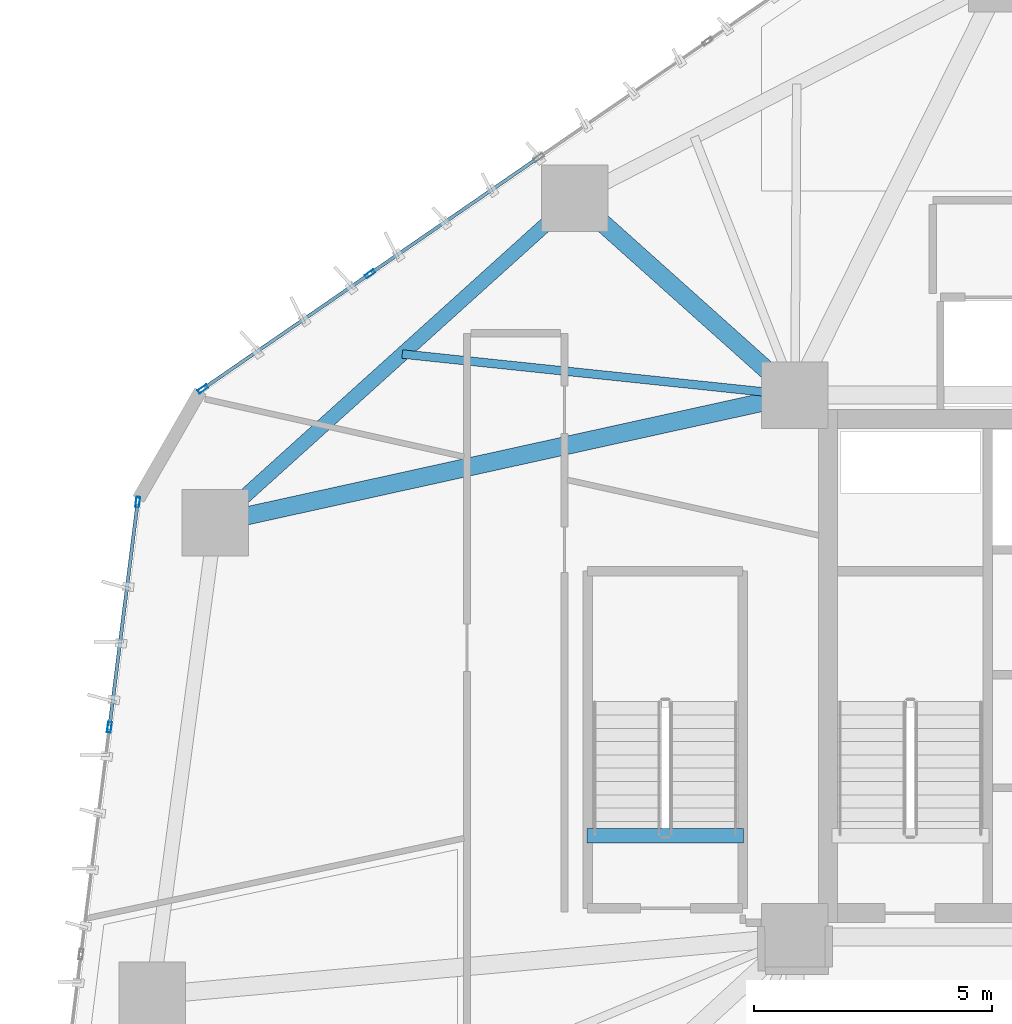
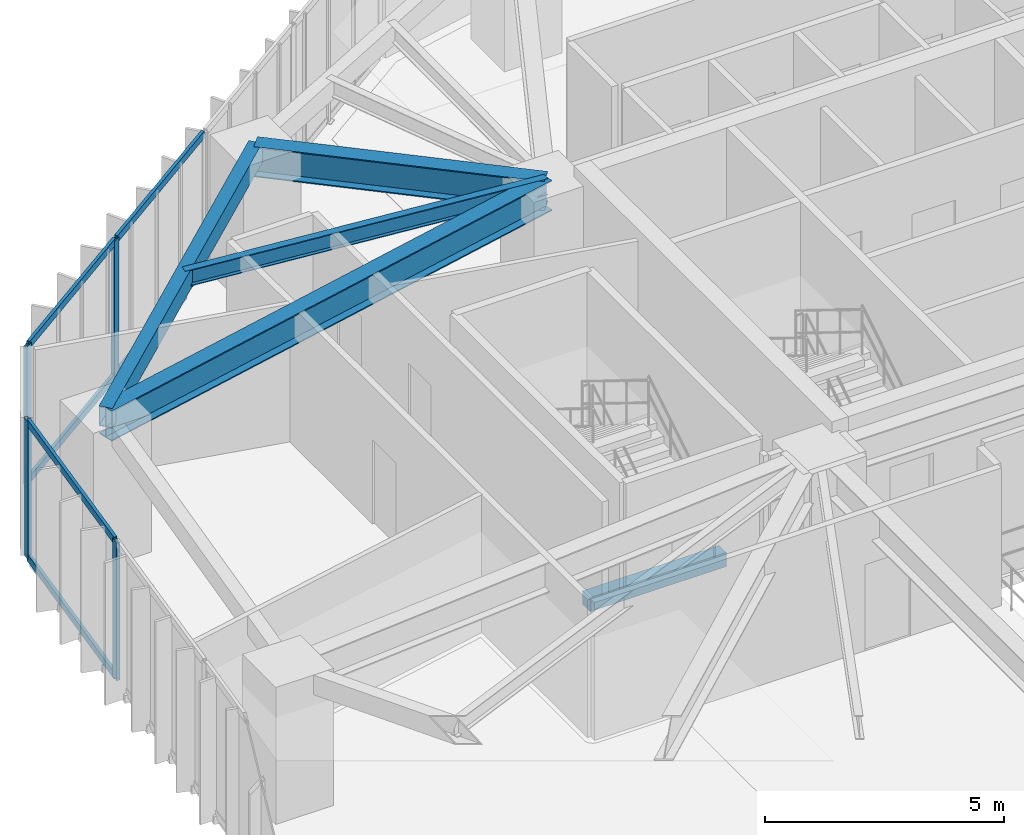
# One storey, part 6 of 21: 10 members, 5 beams, 2 elements without a shape of their own.
"""IFC4 building model written with IfcOpenShell, lengths in metres."""

from ifc_helpers import new_model, si_unit, direction, frame, origin, origin_2d, place, context, subcontext, project, spatial, rectangle, hollow_rectangle, i_section, extrude, source, transform, mapped, material, layer, layer_set, material_profile, profile_set, type_object, type_shapes, element, aggregate, save


model = new_model("IFC4")

# Units and contexts
model_context = context("Model", 3, precision=1e-05, world=origin(), true_north=direction((0.0, 1.0)))
body_context = subcontext(model_context, "Body", "Model", "MODEL_VIEW")
ifc_project = project(units=[si_unit("LENGTHUNIT", "METRE"), si_unit("AREAUNIT", "SQUARE_METRE"), si_unit("VOLUMEUNIT", "CUBIC_METRE"), si_unit("PLANEANGLEUNIT", "RADIAN"), si_unit("MASSUNIT", "GRAM", prefix="KILO")], contexts=[model_context])

# Site, building, storey
site_placement = place(None, origin())
site = spatial("IfcSite", under=ifc_project, at=site_placement, CompositionType="ELEMENT")
building_placement = place(site_placement, origin())
building = spatial("IfcBuilding", under=site, at=building_placement, Name="Talar Marvaseh", CompositionType="ELEMENT")
storey_placement = place(building_placement, frame((0.0, 0.0, 62.0)))
storey = spatial("IfcBuildingStorey", under=building, at=storey_placement, Name="L15", CompositionType="ELEMENT", Elevation=62.0)

# Beams
ifc_material_1 = material(Name="Concrete C40/50", Category="concrete")
ifc_material_profile_1 = material_profile(ifc_material_1, rectangle(XDim=0.300048828125, YDim=0.360107421875, at=origin_2d()), Name="RC300x360")
ifc_profile_set_1 = profile_set([ifc_material_profile_1], Name="Concrete C40/50")
beam_type_1 = type_object("IfcBeamType", Name="Concrete Stair Landing Trimmer Beam RC300x360", PredefinedType="SPANDREL", material=ifc_profile_set_1)
beam_1_placement = place(storey_placement, frame((17.6201171875, 27.6298828125, -0.179931640625), z_axis=(-1.0, 0.0, 0.0), x_axis=(0.0, -1.0, 0.0)))
element("IfcBeam", 1, at=beam_1_placement, inside=storey, type_object=beam_type_1, Name="L15 ST-3 Stair Nosing Trimmer Beam", PredefinedType="SPANDREL", context=body_context, shape_type="SweptSolid", body=[
    extrude(rectangle(XDim=0.300048828125, YDim=0.360107421875, at=origin_2d()), origin(), (0.0, 0.0, 1.0), 3.300048828125),
])
ifc_material_2 = material(Name="Steel S355", Category="steel")
ifc_material_profile_2 = material_profile(ifc_material_2, hollow_rectangle(XDim=0.300048828125, YDim=0.5, WallThickness=0.02001953125, at=origin_2d()), Name="RHS500x300x20")
ifc_profile_set_2 = profile_set([ifc_material_profile_2], Name="Steel S355")
beam_type_2 = type_object("IfcBeamType", Name="Zone 1 Perimeter Spandrel Beam RHS500x300x20", PredefinedType="SPANDREL", material=ifc_profile_set_2)
beam_2_placement = place(storey_placement, frame((6.501953125, 34.214111328125, 3.27001953125), z_axis=(0.742394279812, 0.669963232799, 0.0), x_axis=(-0.669963232799, 0.742394279812, 0.0)))
element("IfcBeam", 2, at=beam_2_placement, inside=storey, type_object=beam_type_2, Name="L15 Zone 1 Perimeter Spandrel Beam RHS500x300x20", PredefinedType="SPANDREL", context=body_context, shape_type="SweptSolid", body=[
    extrude(hollow_rectangle(XDim=0.300048828125, YDim=0.5, WallThickness=0.02001953125, at=origin_2d()), origin(), (0.0, 0.0, 1.0), 10.19287109375),
])
ifc_material_profile_3 = material_profile(ifc_material_2, i_section(OverallWidth=0.381103515625, OverallDepth=0.77294921875, WebThickness=0.0166015625, FlangeThickness=0.027099609375, at=origin_2d()), Name="W760x257")
ifc_profile_set_3 = profile_set([ifc_material_profile_3], Name="Steel S355")
beam_type_3 = type_object("IfcBeamType", Name="Zone 1 Radial Floor Girder W760x257", PredefinedType="BEAM", material=ifc_profile_set_3)
beam_3_placement = place(storey_placement, frame((6.501953125, 34.214111328125, 3.133544921875), z_axis=(0.976606962034, 0.215032187606, 0.0), x_axis=(-0.215032187606, 0.976606962034, 0.0)))
element("IfcBeam", 3, at=beam_3_placement, inside=storey, type_object=beam_type_3, Name="L15 Zone 1 Radial Floor Girder W760x257", PredefinedType="BEAM", context=body_context, shape_type="SweptSolid", body=[
    extrude(i_section(OverallWidth=0.381103515625, OverallDepth=0.77294921875, WebThickness=0.0166015625, FlangeThickness=0.027099609375, at=origin_2d()), origin(), (0.0, 0.0, 1.0), 12.490234375),
])
beam_4_placement = place(storey_placement, frame((14.069091796875, 41.04296875, 3.133544921875), z_axis=(0.745268030676, -0.666764997921, 0.0), x_axis=(0.666764997921, 0.745268030676, 0.0)))
element("IfcBeam", 4, at=beam_4_placement, inside=storey, type_object=beam_type_3, Name="L15 Zone 1 Radial Floor Girder W760x257", PredefinedType="BEAM", context=body_context, shape_type="SweptSolid", body=[
    extrude(i_section(OverallWidth=0.381103515625, OverallDepth=0.77294921875, WebThickness=0.0166015625, FlangeThickness=0.027099609375, at=origin_2d()), origin(), (0.0, 0.0, 1.0), 6.213623046875),
])
ifc_material_profile_4 = material_profile(ifc_material_2, i_section(OverallWidth=0.179931640625, OverallDepth=0.4130859375, WebThickness=0.009765625, FlangeThickness=0.01611328125, at=origin_2d()), Name="W410x75")
ifc_profile_set_4 = profile_set([ifc_material_profile_4], Name="Steel S355")
beam_type_4 = type_object("IfcBeamType", Name="Zone 1 Secondary Floor Joist W410x75", PredefinedType="JOIST", material=ifc_profile_set_4)
beam_5_placement = place(storey_placement, frame((10.436767578125, 37.76513671875, 3.3134765625), z_axis=(0.994562624593, -0.104140221638, 0.0), x_axis=(0.104140221638, 0.994562624593, 0.0)))
element("IfcBeam", 5, at=beam_5_placement, inside=storey, type_object=beam_type_4, Name="L15 Zone 1 Secondary Floor Joist W410x75", PredefinedType="JOIST", context=body_context, shape_type="SweptSolid", body=[
    extrude(i_section(OverallWidth=0.179931640625, OverallDepth=0.4130859375, WebThickness=0.009765625, FlangeThickness=0.01611328125, at=origin_2d()), origin(), (0.0, 0.0, 1.0), 8.308349609375),
])

# Curtain wall, members
ifc_material_3 = material(Name="Architectural Aluminium", Category="aluminium")
ifc_layer = layer(ifc_material_3, 0.219970703125)
ifc_layer_set = layer_set([ifc_layer], Name="Architectural Aluminium")
curtain_wall_type = type_object("IfcCurtainWallType", Name="Unitised Low-E Museum Curtain Wall Z1", PredefinedType="NOTDEFINED", material=ifc_layer_set)
curtain_wall_1_placement = place(storey_placement, origin())
curtain_wall_1 = element("IfcCurtainWall", 6, at=curtain_wall_1_placement, inside=storey, type_object=curtain_wall_type, Name="L15 Unitised Low-E Museum Curtain Wall Z1", PredefinedType="NOTDEFINED")
ifc_material_profile_5 = material_profile(ifc_material_3, hollow_rectangle(XDim=0.080078125, YDim=0.219970703125, WallThickness=0.0048828125, at=origin_2d()), Name="RHS220x80x5")
ifc_profile_set_5 = profile_set([ifc_material_profile_5], Name="Architectural Aluminium")
member_type_1 = type_object("IfcMemberType", Name="Unitised Curtain Wall Heavy Mullion RHS220x80x5", PredefinedType="MULLION", material=ifc_profile_set_5)
shared_shape_1 = source(origin(), body_context, "Body", "SweptSolid", [
    extrude(hollow_rectangle(XDim=0.080078125, YDim=0.219970703125, WallThickness=0.0048828125, at=origin_2d()), origin(), (0.0, 0.0, 1.0), 3.52001953125),
])
type_shapes(member_type_1, [shared_shape_1])
member_1_placement = place(storey_placement, frame((4.276611328125, 29.91162109375, 0.0), z_axis=(0.0, 0.0, 1.0), x_axis=(-0.992215547437, 0.124532354927, 0.0)))
member_1 = element("IfcMember", 7, at=member_1_placement, type_object=member_type_1, Name="CW-Z1 mullion 4", PredefinedType="MULLION", context=body_context, shape_type="MappedRepresentation", body=[
    mapped(shared_shape_1, transform((0.0, 0.0, 0.0), x_axis=(1.0, 0.0, 0.0), y_axis=(0.0, 1.0, 0.0), z_axis=(0.0, 0.0, 1.0), scale=1.0)),
])
member_2_placement = place(storey_placement, frame((4.87158203125, 34.651123046875, 0.0), z_axis=(0.0, 0.0, 1.0), x_axis=(-0.992215547437, 0.124532354927, 0.0)))
member_2 = element("IfcMember", 8, at=member_2_placement, type_object=member_type_1, Name="CW-Z1 mullion 5", PredefinedType="MULLION", context=body_context, shape_type="MappedRepresentation", body=[
    mapped(shared_shape_1, transform((0.0, 0.0, 0.0), x_axis=(1.0, 0.0, 0.0), y_axis=(0.0, 1.0, 0.0), z_axis=(0.0, 0.0, 1.0), scale=1.0)),
])

curtain_wall_2_placement = place(storey_placement, origin())
curtain_wall_2 = element("IfcCurtainWall", 9, at=curtain_wall_2_placement, inside=storey, type_object=curtain_wall_type, Name="L15 Unitised Low-E Museum Curtain Wall Z1", PredefinedType="NOTDEFINED")
member_3_placement = place(storey_placement, frame((6.241455078125, 37.030029296875, 0.0), z_axis=(0.0, 0.0, 1.0), x_axis=(-0.567383348188, 0.823453785102, 0.0)))
member_3 = element("IfcMember", 10, at=member_3_placement, type_object=member_type_1, Name="CW-Z1 mullion 1", PredefinedType="MULLION", context=body_context, shape_type="MappedRepresentation", body=[
    mapped(shared_shape_1, transform((0.0, 0.0, 0.0), x_axis=(1.0, 0.0, 0.0), y_axis=(0.0, 1.0, 0.0), z_axis=(0.0, 0.0, 1.0), scale=1.0)),
])
member_4_placement = place(storey_placement, frame((9.75927734375, 39.453857421875, 0.0), z_axis=(0.0, 0.0, 1.0), x_axis=(-0.567383348188, 0.823453785102, 0.0)))
member_4 = element("IfcMember", 11, at=member_4_placement, type_object=member_type_1, Name="CW-Z1 mullion 2", PredefinedType="MULLION", context=body_context, shape_type="MappedRepresentation", body=[
    mapped(shared_shape_1, transform((0.0, 0.0, 0.0), x_axis=(1.0, 0.0, 0.0), y_axis=(0.0, 1.0, 0.0), z_axis=(0.0, 0.0, 1.0), scale=1.0)),
])

# Member
ifc_material_profile_6 = material_profile(ifc_material_3, hollow_rectangle(XDim=0.074951171875, YDim=0.179931640625, WallThickness=0.0048828125, at=origin_2d()), Name="RHS180x75x5")
ifc_profile_set_6 = profile_set([ifc_material_profile_6], Name="Architectural Aluminium")
member_type_2 = type_object("IfcMemberType", Name="Unitised Curtain Wall Transom RHS180x75x5", PredefinedType="USERDEFINED", material=ifc_profile_set_6)
shared_shape_2 = source(origin(), body_context, "Body", "SweptSolid", [
    extrude(hollow_rectangle(XDim=0.074951171875, YDim=0.179931640625, WallThickness=0.0048828125, at=origin_2d()), origin(), (0.0, 0.0, 1.0), 4.69677734375),
])
member_5_placement = place(storey_placement, frame((4.28173828125, 29.951171875, 0.03759765625), z_axis=(0.124495356041, 0.992220190444, 0.0), x_axis=(-0.992220190444, 0.124495356041, 0.0)))
member_5 = element("IfcMember", 12, at=member_5_placement, type_object=member_type_2, Name="CW-Z1 transom 4.1", ObjectType="TRANSOM", PredefinedType="USERDEFINED", context=body_context, shape_type="MappedRepresentation", body=[
    mapped(shared_shape_2, transform((0.0, 0.0, 0.0), x_axis=(1.0, 0.0, 0.0), y_axis=(0.0, 1.0, 0.0), z_axis=(0.0, 0.0, 1.0), scale=1.0)),
])

member_6_placement = place(storey_placement, frame((4.28173828125, 29.951171875, 3.482421875), z_axis=(0.124495356041, 0.992220190444, 0.0), x_axis=(-0.992220190444, 0.124495356041, 0.0)))
member_6 = element("IfcMember", 13, at=member_6_placement, type_object=member_type_2, Name="CW-Z1 transom 4.2", ObjectType="TRANSOM", PredefinedType="USERDEFINED", context=body_context, shape_type="MappedRepresentation", body=[
    mapped(shared_shape_2, transform((0.0, 0.0, 0.0), x_axis=(1.0, 0.0, 0.0), y_axis=(0.0, 1.0, 0.0), z_axis=(0.0, 0.0, 1.0), scale=1.0)),
])

aggregate(curtain_wall_1, [member_1, member_2, member_5, member_6])

shared_shape_3 = source(origin(), body_context, "Body", "SweptSolid", [
    extrude(hollow_rectangle(XDim=0.074951171875, YDim=0.179931640625, WallThickness=0.0048828125, at=origin_2d()), origin(), (0.0, 0.0, 1.0), 4.19189453125),
])
member_7_placement = place(storey_placement, frame((6.2744140625, 37.052734375, 0.03759765625), z_axis=(0.823458622315, 0.567376327788, 0.0), x_axis=(-0.567376327788, 0.823458622315, 0.0)))
member_7 = element("IfcMember", 14, at=member_7_placement, type_object=member_type_2, Name="CW-Z1 transom 1.1", ObjectType="TRANSOM", PredefinedType="USERDEFINED", context=body_context, shape_type="MappedRepresentation", body=[
    mapped(shared_shape_3, transform((0.0, 0.0, 0.0), x_axis=(1.0, 0.0, 0.0), y_axis=(0.0, 1.0, 0.0), z_axis=(0.0, 0.0, 1.0), scale=1.0)),
])

member_8_placement = place(storey_placement, frame((6.2744140625, 37.052734375, 3.482421875), z_axis=(0.823458622315, 0.567376327788, 0.0), x_axis=(-0.567376327788, 0.823458622315, 0.0)))
member_8 = element("IfcMember", 15, at=member_8_placement, type_object=member_type_2, Name="CW-Z1 transom 1.2", ObjectType="TRANSOM", PredefinedType="USERDEFINED", context=body_context, shape_type="MappedRepresentation", body=[
    mapped(shared_shape_3, transform((0.0, 0.0, 0.0), x_axis=(1.0, 0.0, 0.0), y_axis=(0.0, 1.0, 0.0), z_axis=(0.0, 0.0, 1.0), scale=1.0)),
])

shared_shape_4 = source(origin(), body_context, "Body", "SweptSolid", [
    extrude(hollow_rectangle(XDim=0.074951171875, YDim=0.179931640625, WallThickness=0.0048828125, at=origin_2d()), origin(), (0.0, 0.0, 1.0), 4.231689453125),
])
type_shapes(member_type_2, [shared_shape_2, shared_shape_3, shared_shape_4])
member_9_placement = place(storey_placement, frame((9.792236328125, 39.4765625, 0.03759765625), z_axis=(0.823440513118, 0.567402609578, 0.0), x_axis=(-0.567402609578, 0.823440513118, 0.0)))
member_9 = element("IfcMember", 16, at=member_9_placement, type_object=member_type_2, Name="CW-Z1 transom 2.1", ObjectType="TRANSOM", PredefinedType="USERDEFINED", context=body_context, shape_type="MappedRepresentation", body=[
    mapped(shared_shape_4, transform((0.0, 0.0, 0.0), x_axis=(1.0, 0.0, 0.0), y_axis=(0.0, 1.0, 0.0), z_axis=(0.0, 0.0, 1.0), scale=1.0)),
])

member_10_placement = place(storey_placement, frame((9.792236328125, 39.4765625, 3.482421875), z_axis=(0.823440513118, 0.567402609578, 0.0), x_axis=(-0.567402609578, 0.823440513118, 0.0)))
member_10 = element("IfcMember", 17, at=member_10_placement, type_object=member_type_2, Name="CW-Z1 transom 2.2", ObjectType="TRANSOM", PredefinedType="USERDEFINED", context=body_context, shape_type="MappedRepresentation", body=[
    mapped(shared_shape_4, transform((0.0, 0.0, 0.0), x_axis=(1.0, 0.0, 0.0), y_axis=(0.0, 1.0, 0.0), z_axis=(0.0, 0.0, 1.0), scale=1.0)),
])

aggregate(curtain_wall_2, [member_3, member_4, member_7, member_8, member_9, member_10])

save(model, "model.ifc")
